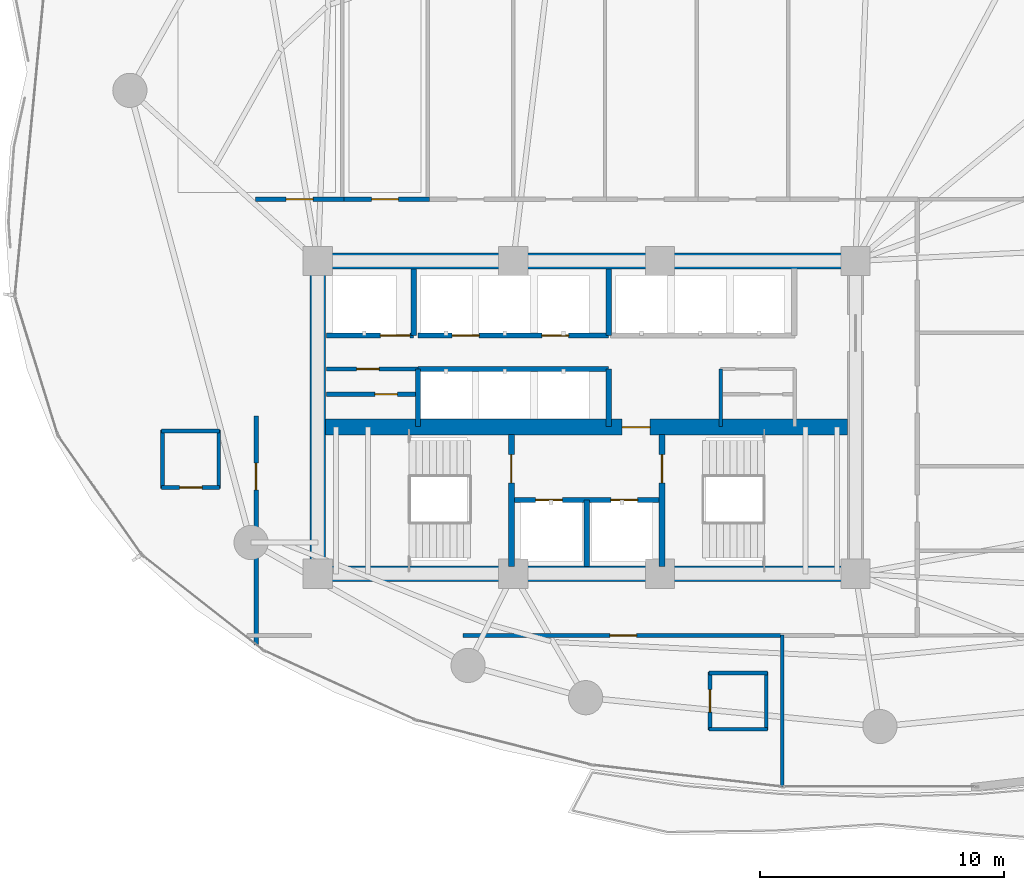
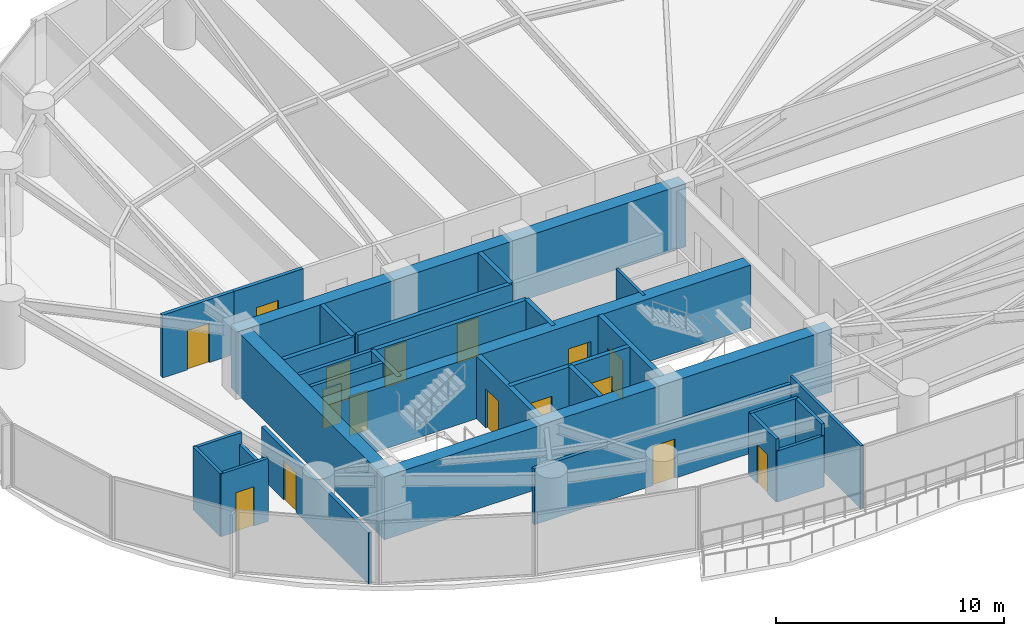
# One storey, part 25 of 31: 31 walls, 16 doors, 16 openings.
"""IFC4 building model written with IfcOpenShell, lengths in metres."""

from ifc_helpers import new_model, si_unit, direction, frame, frame_2d, origin, place, context, subcontext, project, spatial, rectangle, extrude, material, layer, layer_set, type_object, element, fill, save


model = new_model("IFC4")

# Units and contexts
model_context = context("Model", 3, precision=1e-05, world=origin(), true_north=direction((0.0, 1.0)))
body_context = subcontext(model_context, "Body", "Model", "MODEL_VIEW")
ifc_project = project(units=[si_unit("LENGTHUNIT", "METRE"), si_unit("AREAUNIT", "SQUARE_METRE"), si_unit("VOLUMEUNIT", "CUBIC_METRE"), si_unit("PLANEANGLEUNIT", "RADIAN"), si_unit("MASSUNIT", "GRAM", prefix="KILO")], contexts=[model_context])

# Site, building, storey
site_placement = place(None, origin())
site = spatial("IfcSite", under=ifc_project, at=site_placement, CompositionType="ELEMENT")
building_placement = place(site_placement, origin())
building = spatial("IfcBuilding", under=site, at=building_placement, Name="Kazevale Care Tower and Concert Hall", CompositionType="ELEMENT")
storey_placement = place(building_placement, frame((0.0, 0.0, 63.60009765625)))
storey = spatial("IfcBuildingStorey", under=building, at=storey_placement, Name="L16", CompositionType="ELEMENT", Elevation=63.60009765625)

# Walls
ifc_material_1 = material(Name="Acoustic Gypsum on Steel Stud", Category="steel")
ifc_layer_1 = layer(ifc_material_1, 0.139892578125)
ifc_layer_set_1 = layer_set([ifc_layer_1], Name="Acoustic Gypsum on Steel Stud")
wall_type_1 = type_object("IfcWallType", Name="Acoustic Care & Suite Partition 140", PredefinedType="PARTITIONING", material=ifc_layer_set_1)
wall_1_placement = place(storey_placement, frame((38.47998046875, 29.6201171875, 0.0), z_axis=(0.0, 0.0, 1.0), x_axis=(0.0, 1.0, 0.0)))
element("IfcWall", 1, at=wall_1_placement, inside=storey, type_object=wall_type_1, Name="wall:L16:kc_ew", PredefinedType="PARTITIONING", context=body_context, shape_type="SweptSolid", body=[
    extrude(rectangle(XDim=2.35986328125, YDim=0.139892578125, at=frame_2d((1.179931640625, 0.0))), origin(), (0.0, 0.0, 1.0), 3.35986328125),
])
wall_2_placement = place(storey_placement, frame((41.0, 21.10498046875, 0.0), z_axis=(0.0, 0.0, 1.0), x_axis=(0.0, -1.0, 0.0)))
element("IfcWall", 2, at=wall_2_placement, inside=storey, type_object=wall_type_1, Name="wall:L16:auto_027", PredefinedType="PARTITIONING", context=body_context, shape_type="SweptSolid", body=[
    extrude(rectangle(XDim=6.204833984375, YDim=0.139892578125, at=frame_2d((3.1025390625, 0.0))), origin(), (0.0, 0.0, 1.0), 3.35986328125),
])
ifc_material_2 = material(Name="Concrete C70", Category="concrete")
ifc_layer_2 = layer(ifc_material_2, 0.64990234375)
ifc_layer_set_2 = layer_set([ifc_layer_2], Name="Concrete C70")
wall_type_2 = type_object("IfcWallType", Name="Core Shear Wall 650 C70", PredefinedType="SHEAR", material=ifc_layer_set_2)
for number, where, z_axis, x_axis, name in (
    (3, (21.675048828125, 23.60009765625, 0.0), (0.0, 0.0, 1.0), (1.0, 0.0, 0.0), "wall:L16:core:S"),
    (4, (21.675048828125, 36.39990234375, 0.0), (0.0, 0.0, 1.0), (1.0, 0.0, 0.0), "wall:L16:core:N"),
):
    element("IfcWall", number, at=place(storey_placement, frame(where, z_axis=z_axis, x_axis=x_axis)), inside=storey, type_object=wall_type_2, Name=name, PredefinedType="SHEAR", context=body_context, shape_type="SweptSolid", body=[
        extrude(rectangle(XDim=22.64990234375, YDim=0.64990234375, at=frame_2d((11.324951171875, 0.0))), origin(), (0.0, 0.0, 1.0), 3.35986328125),
    ])
wall_3_placement = place(storey_placement, frame((22.0, 23.925048828125, 0.0), z_axis=(0.0, 0.0, 1.0), x_axis=(0.0, 1.0, 0.0)))
element("IfcWall", 5, at=wall_3_placement, inside=storey, type_object=wall_type_2, Name="wall:L16:core:W", PredefinedType="SHEAR", context=body_context, shape_type="SweptSolid", body=[
    extrude(rectangle(XDim=12.14990234375, YDim=0.64990234375, at=frame_2d((6.074951171875, 0.0))), origin(), (0.0, 0.0, 1.0), 3.35986328125),
])

# Wall, opening, door
wall_4_placement = place(storey_placement, frame((22.324951171875, 29.60009765625, 0.0), z_axis=(0.0, 0.0, 1.0), x_axis=(1.0, 0.0, 0.0)))
wall_4 = element("IfcWall", 6, at=wall_4_placement, inside=storey, type_object=wall_type_2, Name="wall:L16:core:M", PredefinedType="SHEAR", context=body_context, shape_type="SweptSolid", body=[
    extrude(rectangle(XDim=21.35009765625, YDim=0.64990234375, at=frame_2d((10.675048828125, 0.0))), origin(), (0.0, 0.0, 1.0), 3.35986328125),
])
opening_1_placement = place(wall_4_placement, frame((12.125, 0.0, 0.0)))
opening_1 = element("IfcOpeningElement", 7, at=opening_1_placement, cuts=wall_4, Name="Opening FD-90", PredefinedType="OPENING", context=body_context, shape_type="SweptSolid", body=[
    extrude(rectangle(XDim=1.14990234375, YDim=2.10009765625, at=frame_2d((0.574951171875, 1.050048828125))), frame((0.0, 0.3349609375, 0.0), z_axis=(0.0, -1.0, 0.0), x_axis=(1.0, 0.0, 0.0)), (0.0, 0.0, 1.0), 0.669921875),
])
ifc_material_3 = material(Name="Steel ASTM A572 Gr 50", Category="steel")
door_type_1 = type_object("IfcDoorType", Name="Pressurized Stair & Lobby Fire Door 1150x2100", OperationType="NOTDEFINED", PredefinedType="DOOR", material=ifc_material_3)
door_1_placement = place(opening_1_placement, origin())
door_1 = element("IfcDoor", 8, at=door_1_placement, inside=storey, type_object=door_type_1, Name="door:L16:ff_to_pax", OperationType="SINGLE_SWING_LEFT", OverallHeight=2.10009765625, OverallWidth=1.14990234375, PredefinedType="DOOR", context=body_context, shape_type="SweptSolid", body=[
    extrude(rectangle(XDim=1.14990234375, YDim=2.10009765625, at=frame_2d((0.574951171875, 1.050048828125))), frame((0.0, 0.02490234375, 0.0), z_axis=(0.0, -1.0, 0.0), x_axis=(1.0, 0.0, 0.0)), (0.0, 0.0, 1.0), 0.050048828125),
])
fill(opening_1, door_1)

# Wall, openings, doors
ifc_material_4 = material(Name="Concrete C40", Category="concrete")
ifc_layer_3 = layer(ifc_material_4, 0.219970703125)
ifc_layer_set_3 = layer_set([ifc_layer_3], Name="Concrete C40")
wall_type_3 = type_object("IfcWallType", Name="Elevator Hoistway Shaft Wall 220", PredefinedType="SOLIDWALL", material=ifc_layer_set_3)
wall_5_placement = place(storey_placement, frame((29.919921875, 26.6201171875, 0.0), z_axis=(0.0, 0.0, 1.0), x_axis=(1.0, 0.0, 0.0)))
wall_5 = element("IfcWall", 9, at=wall_5_placement, inside=storey, type_object=wall_type_3, Name="wall:L16:c_ffl_n", PredefinedType="SOLIDWALL", context=body_context, shape_type="SweptSolid", body=[
    extrude(rectangle(XDim=6.16015625, YDim=0.219970703125, at=frame_2d((3.080078125, 0.0))), origin(), (0.0, 0.0, 1.0), 3.35986328125),
])
opening_2_placement = place(wall_5_placement, frame((0.989990234375, 0.0, 0.0)))
opening_2 = element("IfcOpeningElement", 10, at=opening_2_placement, cuts=wall_5, Name="Opening LD-FF", PredefinedType="OPENING", context=body_context, shape_type="SweptSolid", body=[
    extrude(rectangle(XDim=1.10009765625, YDim=2.10009765625, at=frame_2d((0.550048828125, 1.050048828125))), frame((0.0, 0.119873046875, 0.0), z_axis=(0.0, -1.0, 0.0), x_axis=(1.0, 0.0, 0.0)), (0.0, 0.0, 1.0), 0.239990234375),
])
opening_3_placement = place(wall_5_placement, frame((4.070068359375, 0.0, 0.0)))
opening_3 = element("IfcOpeningElement", 11, at=opening_3_placement, cuts=wall_5, Name="Opening LD-FF", PredefinedType="OPENING", context=body_context, shape_type="SweptSolid", body=[
    extrude(rectangle(XDim=1.10009765625, YDim=2.10009765625, at=frame_2d((0.550048828125, 1.050048828125))), frame((0.0, 0.119873046875, 0.0), z_axis=(0.0, -1.0, 0.0), x_axis=(1.0, 0.0, 0.0)), (0.0, 0.0, 1.0), 0.239990234375),
])
ifc_material_5 = material(Name="Stainless Steel 316", Category="steel")
door_type_2 = type_object("IfcDoorType", Name="Emergency Lift Sliding Landing Door 1100x2100", OperationType="NOTDEFINED", PredefinedType="DOOR", material=ifc_material_5)
door_2_placement = place(opening_2_placement, origin())
door_2 = element("IfcDoor", 12, at=door_2_placement, inside=storey, type_object=door_type_2, Name="door:L16:ld_ffl1", OperationType="SLIDING_TO_LEFT", OverallHeight=2.10009765625, OverallWidth=1.10009765625, PredefinedType="DOOR", context=body_context, shape_type="SweptSolid", body=[
    extrude(rectangle(XDim=1.10009765625, YDim=2.10009765625, at=frame_2d((0.550048828125, 1.050048828125))), frame((0.0, 0.02490234375, 0.0), z_axis=(0.0, -1.0, 0.0), x_axis=(1.0, 0.0, 0.0)), (0.0, 0.0, 1.0), 0.050048828125),
])
fill(opening_2, door_2)
door_3_placement = place(opening_3_placement, origin())
door_3 = element("IfcDoor", 13, at=door_3_placement, inside=storey, type_object=door_type_2, Name="door:L16:ld_ffl2", OperationType="SLIDING_TO_RIGHT", OverallHeight=2.10009765625, OverallWidth=1.10009765625, PredefinedType="DOOR", context=body_context, shape_type="SweptSolid", body=[
    extrude(rectangle(XDim=1.10009765625, YDim=2.10009765625, at=frame_2d((0.550048828125, 1.050048828125))), frame((0.0, 0.02490234375, 0.0), z_axis=(0.0, -1.0, 0.0), x_axis=(1.0, 0.0, 0.0)), (0.0, 0.0, 1.0), 0.050048828125),
])
fill(opening_3, door_3)

# Walls
wall_6_placement = place(storey_placement, frame((33.0, 23.89990234375, 0.0), z_axis=(0.0, 0.0, 1.0), x_axis=(0.0, 1.0, 0.0)))
element("IfcWall", 14, at=wall_6_placement, inside=storey, type_object=wall_type_3, Name="wall:L16:c_ffl_m", PredefinedType="SOLIDWALL", context=body_context, shape_type="SweptSolid", body=[
    extrude(rectangle(XDim=2.72021484375, YDim=0.219970703125, at=frame_2d((1.360107421875, 0.0))), origin(), (0.0, 0.0, 1.0), 3.35986328125),
])
wall_7_placement = place(storey_placement, frame((25.919921875, 33.35009765625, 0.0), z_axis=(0.0, 0.0, 1.0), x_axis=(0.0, 1.0, 0.0)))
element("IfcWall", 15, at=wall_7_placement, inside=storey, type_object=wall_type_3, Name="wall:L16:c_svl_e", PredefinedType="SOLIDWALL", context=body_context, shape_type="SweptSolid", body=[
    extrude(rectangle(XDim=2.72998046875, YDim=0.219970703125, at=frame_2d((1.364990234375, 0.0))), origin(), (0.0, 0.0, 1.0), 3.35986328125),
])

# Wall, opening, door
wall_8_placement = place(storey_placement, frame((22.35009765625, 33.35009765625, 0.0), z_axis=(0.0, 0.0, 1.0), x_axis=(1.0, 0.0, 0.0)))
wall_8 = element("IfcWall", 16, at=wall_8_placement, inside=storey, type_object=wall_type_3, Name="wall:L16:c_svl_s", PredefinedType="SOLIDWALL", context=body_context, shape_type="SweptSolid", body=[
    extrude(rectangle(XDim=3.56982421875, YDim=0.219970703125, at=frame_2d((1.784912109375, 0.0))), origin(), (0.0, 0.0, 1.0), 3.35986328125),
])
opening_4_placement = place(wall_8_placement, frame((2.212890625, 0.0, 0.0)))
opening_4 = element("IfcOpeningElement", 17, at=opening_4_placement, cuts=wall_8, Name="Opening LD-SV", PredefinedType="OPENING", context=body_context, shape_type="SweptSolid", body=[
    extrude(rectangle(XDim=1.199951171875, YDim=2.10009765625, at=frame_2d((0.60009765625, 1.050048828125))), frame((0.0, 0.119873046875, 0.0), z_axis=(0.0, -1.0, 0.0), x_axis=(1.0, 0.0, 0.0)), (0.0, 0.0, 1.0), 0.239990234375),
])
door_type_3 = type_object("IfcDoorType", Name="Service Lift Sliding Landing Door 1200x2100", OperationType="NOTDEFINED", PredefinedType="DOOR", material=ifc_material_5)
door_4_placement = place(opening_4_placement, origin())
door_4 = element("IfcDoor", 18, at=door_4_placement, inside=storey, type_object=door_type_3, Name="door:L16:ld_svl1", OperationType="SLIDING_TO_LEFT", OverallHeight=2.10009765625, OverallWidth=1.199951171875, PredefinedType="DOOR", context=body_context, shape_type="SweptSolid", body=[
    extrude(rectangle(XDim=1.199951171875, YDim=2.10009765625, at=frame_2d((0.60009765625, 1.050048828125))), frame((0.0, 0.02490234375, 0.0), z_axis=(0.0, -1.0, 0.0), x_axis=(1.0, 0.0, 0.0)), (0.0, 0.0, 1.0), 0.050048828125),
])
fill(opening_4, door_4)

# Walls
wall_9_placement = place(storey_placement, frame((26.10009765625, 29.6201171875, 0.0), z_axis=(0.0, 0.0, 1.0), x_axis=(0.0, 1.0, 0.0)))
element("IfcWall", 19, at=wall_9_placement, inside=storey, type_object=wall_type_3, Name="wall:L16:c_ph_w", PredefinedType="SOLIDWALL", context=body_context, shape_type="SweptSolid", body=[
    extrude(rectangle(XDim=2.35986328125, YDim=0.219970703125, at=frame_2d((1.179931640625, 0.0))), origin(), (0.0, 0.0, 1.0), 3.35986328125),
])
wall_10_placement = place(storey_placement, frame((26.10009765625, 31.97998046875, 0.0), z_axis=(0.0, 0.0, 1.0), x_axis=(1.0, 0.0, 0.0)))
element("IfcWall", 20, at=wall_10_placement, inside=storey, type_object=wall_type_3, Name="wall:L16:c_ph_n", PredefinedType="SOLIDWALL", context=body_context, shape_type="SweptSolid", body=[
    extrude(rectangle(XDim=7.7998046875, YDim=0.219970703125, at=frame_2d((3.89990234375, 0.0))), origin(), (0.0, 0.0, 1.0), 3.35986328125),
])
wall_11_placement = place(storey_placement, frame((33.89990234375, 29.6201171875, 0.0), z_axis=(0.0, 0.0, 1.0), x_axis=(0.0, 1.0, 0.0)))
element("IfcWall", 21, at=wall_11_placement, inside=storey, type_object=wall_type_3, Name="wall:L16:c_ph_e", PredefinedType="SOLIDWALL", context=body_context, shape_type="SweptSolid", body=[
    extrude(rectangle(XDim=2.35986328125, YDim=0.219970703125, at=frame_2d((1.179931640625, 0.0))), origin(), (0.0, 0.0, 1.0), 3.35986328125),
])

# Wall, openings, doors
wall_12_placement = place(storey_placement, frame((26.10009765625, 33.35009765625, 0.0), z_axis=(0.0, 0.0, 1.0), x_axis=(1.0, 0.0, 0.0)))
wall_12 = element("IfcWall", 22, at=wall_12_placement, inside=storey, type_object=wall_type_3, Name="wall:L16:c_pl_s", PredefinedType="SOLIDWALL", context=body_context, shape_type="SweptSolid", body=[
    extrude(rectangle(XDim=7.7998046875, YDim=0.219970703125, at=frame_2d((3.89990234375, 0.0))), origin(), (0.0, 0.0, 1.0), 3.35986328125),
])
opening_5_placement = place(wall_12_placement, frame((1.39990234375, 0.0, 0.0)))
opening_5 = element("IfcOpeningElement", 23, at=opening_5_placement, cuts=wall_12, Name="Opening LD-PAX", PredefinedType="OPENING", context=body_context, shape_type="SweptSolid", body=[
    extrude(rectangle(XDim=1.10009765625, YDim=2.10009765625, at=frame_2d((0.550048828125, 1.050048828125))), frame((0.0, 0.119873046875, 0.0), z_axis=(0.0, -1.0, 0.0), x_axis=(1.0, 0.0, 0.0)), (0.0, 0.0, 1.0), 0.239990234375),
])
opening_6_placement = place(wall_12_placement, frame((5.06591796875, 0.0, 0.0)))
opening_6 = element("IfcOpeningElement", 24, at=opening_6_placement, cuts=wall_12, Name="Opening LD-PAX", PredefinedType="OPENING", context=body_context, shape_type="SweptSolid", body=[
    extrude(rectangle(XDim=1.10009765625, YDim=2.10009765625, at=frame_2d((0.550048828125, 1.050048828125))), frame((0.0, 0.119873046875, 0.0), z_axis=(0.0, -1.0, 0.0), x_axis=(1.0, 0.0, 0.0)), (0.0, 0.0, 1.0), 0.239990234375),
])
door_type_4 = type_object("IfcDoorType", Name="Passenger Lift Sliding Landing Door 1100x2100", OperationType="NOTDEFINED", PredefinedType="DOOR", material=ifc_material_5)
door_5_placement = place(opening_5_placement, origin())
door_5 = element("IfcDoor", 25, at=door_5_placement, inside=storey, type_object=door_type_4, Name="door:L16:ld_pl1", OperationType="SLIDING_TO_LEFT", OverallHeight=2.10009765625, OverallWidth=1.10009765625, PredefinedType="DOOR", context=body_context, shape_type="SweptSolid", body=[
    extrude(rectangle(XDim=1.10009765625, YDim=2.10009765625, at=frame_2d((0.550048828125, 1.050048828125))), frame((0.0, 0.02490234375, 0.0), z_axis=(0.0, -1.0, 0.0), x_axis=(1.0, 0.0, 0.0)), (0.0, 0.0, 1.0), 0.050048828125),
])
fill(opening_5, door_5)
door_6_placement = place(opening_6_placement, origin())
door_6 = element("IfcDoor", 26, at=door_6_placement, inside=storey, type_object=door_type_4, Name="door:L16:ld_pl2", OperationType="SLIDING_TO_RIGHT", OverallHeight=2.10009765625, OverallWidth=1.10009765625, PredefinedType="DOOR", context=body_context, shape_type="SweptSolid", body=[
    extrude(rectangle(XDim=1.10009765625, YDim=2.10009765625, at=frame_2d((0.550048828125, 1.050048828125))), frame((0.0, 0.02490234375, 0.0), z_axis=(0.0, -1.0, 0.0), x_axis=(1.0, 0.0, 0.0)), (0.0, 0.0, 1.0), 0.050048828125),
])
fill(opening_6, door_6)

# Wall
wall_13_placement = place(storey_placement, frame((33.89990234375, 33.35009765625, 0.0), z_axis=(0.0, 0.0, 1.0), x_axis=(0.0, 1.0, 0.0)))
element("IfcWall", 27, at=wall_13_placement, inside=storey, type_object=wall_type_3, Name="wall:L16:c_pl_e", PredefinedType="SOLIDWALL", context=body_context, shape_type="SweptSolid", body=[
    extrude(rectangle(XDim=2.72998046875, YDim=0.219970703125, at=frame_2d((1.364990234375, 0.0))), origin(), (0.0, 0.0, 1.0), 3.35986328125),
])

# Wall, opening, door
ifc_material_6 = material(Name="Concrete C40 and Acoustic Gypsum", Category="concrete")
ifc_layer_4 = layer(ifc_material_6, 0.179931640625)
ifc_layer_set_4 = layer_set([ifc_layer_4], Name="Concrete C40 and Acoustic Gypsum")
wall_type_4 = type_object("IfcWallType", Name="Fire-Rated Corridor & Party Wall 180", PredefinedType="PARTITIONING", material=ifc_layer_set_4)
wall_14_placement = place(storey_placement, frame((22.35009765625, 30.949951171875, 0.0), z_axis=(0.0, 0.0, 1.0), x_axis=(1.0, 0.0, 0.0)))
wall_14 = element("IfcWall", 28, at=wall_14_placement, inside=storey, type_object=wall_type_4, Name="wall:L16:kc_wm", PredefinedType="PARTITIONING", context=body_context, shape_type="SweptSolid", body=[
    extrude(rectangle(XDim=3.75, YDim=0.179931640625, at=frame_2d((1.875, 0.0))), origin(), (0.0, 0.0, 1.0), 3.35986328125),
])
opening_7_placement = place(wall_14_placement, frame((1.988037109375, 0.0, 0.0)))
opening_7 = element("IfcOpeningElement", 29, at=opening_7_placement, cuts=wall_14, Name="Opening ID-900", PredefinedType="OPENING", context=body_context, shape_type="SweptSolid", body=[
    extrude(rectangle(XDim=0.919921875, YDim=2.10009765625, at=frame_2d((0.4599609375, 1.050048828125))), frame((0.0, 0.099853515625, 0.0), z_axis=(0.0, -1.0, 0.0), x_axis=(1.0, 0.0, 0.0)), (0.0, 0.0, 1.0), 0.199951171875),
])
ifc_material_7 = material(Name="Oak Timber Fire Leaf", Category="wood")
door_type_5 = type_object("IfcDoorType", Name="Bathroom & Service Door 920x2100", OperationType="NOTDEFINED", PredefinedType="DOOR", material=ifc_material_7)
door_7_placement = place(opening_7_placement, origin())
door_7 = element("IfcDoor", 30, at=door_7_placement, inside=storey, type_object=door_type_5, Name="door:L16:d_kcwb", OperationType="SINGLE_SWING_RIGHT", OverallHeight=2.10009765625, OverallWidth=0.919921875, PredefinedType="DOOR", context=body_context, shape_type="SweptSolid", body=[
    extrude(rectangle(XDim=0.919921875, YDim=2.10009765625, at=frame_2d((0.4599609375, 1.050048828125))), frame((0.0, 0.02490234375, 0.0), z_axis=(0.0, -1.0, 0.0), x_axis=(1.0, 0.0, 0.0)), (0.0, 0.0, 1.0), 0.050048828125),
])
fill(opening_7, door_7)

wall_15_placement = place(storey_placement, frame((22.35009765625, 31.97998046875, 0.0), z_axis=(0.0, 0.0, 1.0), x_axis=(1.0, 0.0, 0.0)))
wall_15 = element("IfcWall", 31, at=wall_15_placement, inside=storey, type_object=wall_type_4, Name="wall:L16:kc_wn", PredefinedType="PARTITIONING", context=body_context, shape_type="SweptSolid", body=[
    extrude(rectangle(XDim=3.75, YDim=0.179931640625, at=frame_2d((1.875, 0.0))), origin(), (0.0, 0.0, 1.0), 3.35986328125),
])
opening_8_placement = place(wall_15_placement, frame((1.238037109375, 0.0, 0.0)))
opening_8 = element("IfcOpeningElement", 32, at=opening_8_placement, cuts=wall_15, Name="Opening ID-900", PredefinedType="OPENING", context=body_context, shape_type="SweptSolid", body=[
    extrude(rectangle(XDim=0.919921875, YDim=2.10009765625, at=frame_2d((0.4599609375, 1.050048828125))), frame((0.0, 0.099853515625, 0.0), z_axis=(0.0, -1.0, 0.0), x_axis=(1.0, 0.0, 0.0)), (0.0, 0.0, 1.0), 0.199951171875),
])
door_8_placement = place(opening_8_placement, origin())
door_8 = element("IfcDoor", 33, at=door_8_placement, inside=storey, type_object=door_type_5, Name="door:L16:d_kcwt", OperationType="SINGLE_SWING_LEFT", OverallHeight=2.10009765625, OverallWidth=0.919921875, PredefinedType="DOOR", context=body_context, shape_type="SweptSolid", body=[
    extrude(rectangle(XDim=0.919921875, YDim=2.10009765625, at=frame_2d((0.4599609375, 1.050048828125))), frame((0.0, 0.02490234375, 0.0), z_axis=(0.0, -1.0, 0.0), x_axis=(1.0, 0.0, 0.0)), (0.0, 0.0, 1.0), 0.050048828125),
])
fill(opening_8, door_8)

wall_16_placement = place(storey_placement, frame((19.445068359375, 38.925048828125, 0.0), z_axis=(0.0, 0.0, 1.0), x_axis=(1.0, 0.0, 0.0)))
wall_16 = element("IfcWall", 34, at=wall_16_placement, inside=storey, type_object=wall_type_4, Name="wall:L16:auto_001", PredefinedType="PARTITIONING", context=body_context, shape_type="SweptSolid", body=[
    extrude(rectangle(XDim=3.619873046875, YDim=0.179931640625, at=frame_2d((1.81005859375, 0.0))), origin(), (0.0, 0.0, 1.0), 3.35986328125),
])
opening_9_placement = place(wall_16_placement, frame((1.260009765625, 0.0, 0.0)))
opening_9 = element("IfcOpeningElement", 35, at=opening_9_placement, cuts=wall_16, Name="Opening ID-1100", PredefinedType="OPENING", context=body_context, shape_type="SweptSolid", body=[
    extrude(rectangle(XDim=1.10009765625, YDim=2.10009765625, at=frame_2d((0.550048828125, 1.050048828125))), frame((0.0, 0.099853515625, 0.0), z_axis=(0.0, -1.0, 0.0), x_axis=(1.0, 0.0, 0.0)), (0.0, 0.0, 1.0), 0.199951171875),
])
door_type_6 = type_object("IfcDoorType", Name="Care Bedroom Accessible Door 1100x2100", OperationType="NOTDEFINED", PredefinedType="DOOR", material=ifc_material_7)
door_9_placement = place(opening_9_placement, origin())
door_9 = element("IfcDoor", 36, at=door_9_placement, inside=storey, type_object=door_type_6, Name="door:L16:ad_001", OperationType="SINGLE_SWING_LEFT", OverallHeight=2.10009765625, OverallWidth=1.10009765625, PredefinedType="DOOR", context=body_context, shape_type="SweptSolid", body=[
    extrude(rectangle(XDim=1.10009765625, YDim=2.10009765625, at=frame_2d((0.550048828125, 1.050048828125))), frame((0.0, 0.02490234375, 0.0), z_axis=(0.0, -1.0, 0.0), x_axis=(1.0, 0.0, 0.0)), (0.0, 0.0, 1.0), 0.050048828125),
])
fill(opening_9, door_9)

wall_17_placement = place(storey_placement, frame((22.93505859375, 38.925048828125, 0.0), z_axis=(0.0, 0.0, 1.0), x_axis=(1.0, 0.0, 0.0)))
wall_17 = element("IfcWall", 37, at=wall_17_placement, inside=storey, type_object=wall_type_4, Name="wall:L16:auto_002", PredefinedType="PARTITIONING", context=body_context, shape_type="SweptSolid", body=[
    extrude(rectangle(XDim=3.6298828125, YDim=0.179931640625, at=frame_2d((1.81494140625, 0.0))), origin(), (0.0, 0.0, 1.0), 3.35986328125),
])
opening_10_placement = place(wall_17_placement, frame((1.264892578125, 0.0, 0.0)))
opening_10 = element("IfcOpeningElement", 38, at=opening_10_placement, cuts=wall_17, Name="Opening ID-1100", PredefinedType="OPENING", context=body_context, shape_type="SweptSolid", body=[
    extrude(rectangle(XDim=1.10009765625, YDim=2.10009765625, at=frame_2d((0.550048828125, 1.050048828125))), frame((0.0, 0.099853515625, 0.0), z_axis=(0.0, -1.0, 0.0), x_axis=(1.0, 0.0, 0.0)), (0.0, 0.0, 1.0), 0.199951171875),
])
door_10_placement = place(opening_10_placement, origin())
door_10 = element("IfcDoor", 39, at=door_10_placement, inside=storey, type_object=door_type_6, Name="door:L16:ad_002", OperationType="SINGLE_SWING_LEFT", OverallHeight=2.10009765625, OverallWidth=1.10009765625, PredefinedType="DOOR", context=body_context, shape_type="SweptSolid", body=[
    extrude(rectangle(XDim=1.10009765625, YDim=2.10009765625, at=frame_2d((0.550048828125, 1.050048828125))), frame((0.0, 0.02490234375, 0.0), z_axis=(0.0, -1.0, 0.0), x_axis=(1.0, 0.0, 0.0)), (0.0, 0.0, 1.0), 0.050048828125),
])
fill(opening_10, door_10)

wall_18_placement = place(storey_placement, frame((41.06494140625, 21.074951171875, 0.0), z_axis=(0.0, 0.0, 1.0), x_axis=(-1.0, 0.0, 0.0)))
wall_18 = element("IfcWall", 40, at=wall_18_placement, inside=storey, type_object=wall_type_4, Name="wall:L16:auto_012", PredefinedType="PARTITIONING", context=body_context, shape_type="SweptSolid", body=[
    extrude(rectangle(XDim=13.1298828125, YDim=0.179931640625, at=frame_2d((6.56494140625, 0.0))), origin(), (0.0, 0.0, 1.0), 2.995849609375),
])
opening_11_placement = place(wall_18_placement, frame((6.014892578125, 0.0, 0.0)))
opening_11 = element("IfcOpeningElement", 41, at=opening_11_placement, cuts=wall_18, Name="Opening ID-1100", PredefinedType="OPENING", context=body_context, shape_type="SweptSolid", body=[
    extrude(rectangle(XDim=1.10009765625, YDim=2.10009765625, at=frame_2d((0.550048828125, 1.050048828125))), frame((0.0, 0.099853515625, 0.0), z_axis=(0.0, -1.0, 0.0), x_axis=(1.0, 0.0, 0.0)), (0.0, 0.0, 1.0), 0.199951171875),
])
door_11_placement = place(opening_11_placement, origin())
door_11 = element("IfcDoor", 42, at=door_11_placement, inside=storey, type_object=door_type_6, Name="door:L16:ad_012", OperationType="SINGLE_SWING_LEFT", OverallHeight=2.10009765625, OverallWidth=1.10009765625, PredefinedType="DOOR", context=body_context, shape_type="SweptSolid", body=[
    extrude(rectangle(XDim=1.10009765625, YDim=2.10009765625, at=frame_2d((0.550048828125, 1.050048828125))), frame((0.0, 0.02490234375, 0.0), z_axis=(0.0, -1.0, 0.0), x_axis=(1.0, 0.0, 0.0)), (0.0, 0.0, 1.0), 0.050048828125),
])
fill(opening_11, door_11)

wall_19_placement = place(storey_placement, frame((19.47509765625, 20.695068359375, 0.0), z_axis=(0.0, 0.0, 1.0), x_axis=(0.0, 1.0, 0.0)))
wall_19 = element("IfcWall", 43, at=wall_19_placement, inside=storey, type_object=wall_type_4, Name="wall:L16:auto_014", PredefinedType="PARTITIONING", context=body_context, shape_type="SweptSolid", body=[
    extrude(rectangle(XDim=9.369873046875, YDim=0.179931640625, at=frame_2d((4.68505859375, 0.0))), origin(), (0.0, 0.0, 1.0), 2.73779296875),
])
opening_12_placement = place(wall_19_placement, frame((6.3349609375, 0.0, 0.0)))
opening_12 = element("IfcOpeningElement", 44, at=opening_12_placement, cuts=wall_19, Name="Opening ID-1100", PredefinedType="OPENING", context=body_context, shape_type="SweptSolid", body=[
    extrude(rectangle(XDim=1.10009765625, YDim=2.10009765625, at=frame_2d((0.550048828125, 1.050048828125))), frame((0.0, 0.099853515625, 0.0), z_axis=(0.0, -1.0, 0.0), x_axis=(1.0, 0.0, 0.0)), (0.0, 0.0, 1.0), 0.199951171875),
])
door_12_placement = place(opening_12_placement, origin())
door_12 = element("IfcDoor", 45, at=door_12_placement, inside=storey, type_object=door_type_6, Name="door:L16:ad_014", OperationType="SINGLE_SWING_LEFT", OverallHeight=2.10009765625, OverallWidth=1.10009765625, PredefinedType="DOOR", context=body_context, shape_type="SweptSolid", body=[
    extrude(rectangle(XDim=1.10009765625, YDim=2.10009765625, at=frame_2d((0.550048828125, 1.050048828125))), frame((0.0, 0.02490234375, 0.0), z_axis=(0.0, -1.0, 0.0), x_axis=(1.0, 0.0, 0.0)), (0.0, 0.0, 1.0), 0.050048828125),
])
fill(opening_12, door_12)

# Walls
ifc_layer_5 = layer(ifc_material_1, 0.159912109375)
ifc_layer_set_5 = layer_set([ifc_layer_5], Name="Acoustic Gypsum on Steel Stud")
wall_type_5 = type_object("IfcWallType", Name="Moisture-Resistant Bathroom Plumbing Wall 160", PredefinedType="PLUMBINGWALL", material=ifc_layer_set_5)
wall_20_placement = place(storey_placement, frame((38.010009765625, 17.239013671875, 0.0), z_axis=(0.0, 0.0, 1.0), x_axis=(1.0, 0.0, 0.0)))
element("IfcWall", 46, at=wall_20_placement, inside=storey, type_object=wall_type_5, Name="wall:L16:sb2_ens_ws", PredefinedType="PLUMBINGWALL", context=body_context, shape_type="SweptSolid", body=[
    extrude(rectangle(XDim=2.3798828125, YDim=0.159912109375, at=frame_2d((1.18994140625, 0.0))), origin(), (0.0, 0.0, 1.0), 2.73779296875),
])
wall_21_placement = place(storey_placement, frame((38.010009765625, 19.5390625, 0.0), z_axis=(0.0, 0.0, 1.0), x_axis=(1.0, 0.0, 0.0)))
element("IfcWall", 47, at=wall_21_placement, inside=storey, type_object=wall_type_5, Name="wall:L16:sb2_ens_wn", PredefinedType="PLUMBINGWALL", context=body_context, shape_type="SweptSolid", body=[
    extrude(rectangle(XDim=2.3798828125, YDim=0.159912109375, at=frame_2d((1.18994140625, 0.0))), origin(), (0.0, 0.0, 1.0), 3.35986328125),
])

# Wall, opening, door
wall_22_placement = place(storey_placement, frame((38.050048828125, 17.198974609375, 0.0), z_axis=(0.0, 0.0, 1.0), x_axis=(0.0, 1.0, 0.0)))
wall_22 = element("IfcWall", 48, at=wall_22_placement, inside=storey, type_object=wall_type_5, Name="wall:L16:sb2_ens_ww", PredefinedType="PLUMBINGWALL", context=body_context, shape_type="SweptSolid", body=[
    extrude(rectangle(XDim=2.380126953125, YDim=0.159912109375, at=frame_2d((1.18994140625, 0.0))), origin(), (0.0, 0.0, 1.0), 3.35986328125),
])
opening_13_placement = place(wall_22_placement, frame((0.739990234375, 0.0, 0.0)))
opening_13 = element("IfcOpeningElement", 49, at=opening_13_placement, cuts=wall_22, Name="Opening ID-900", PredefinedType="OPENING", context=body_context, shape_type="SweptSolid", body=[
    extrude(rectangle(XDim=0.919921875, YDim=2.10009765625, at=frame_2d((0.4599609375, 1.050048828125))), frame((0.0, 0.08984375, 0.0), z_axis=(0.0, -1.0, 0.0), x_axis=(1.0, 0.0, 0.0)), (0.0, 0.0, 1.0), 0.179931640625),
])
door_13_placement = place(opening_13_placement, origin())
door_13 = element("IfcDoor", 50, at=door_13_placement, inside=storey, type_object=door_type_5, Name="door:L16:sb2_ens_d", OperationType="SINGLE_SWING_RIGHT", OverallHeight=2.10009765625, OverallWidth=0.919921875, PredefinedType="DOOR", context=body_context, shape_type="SweptSolid", body=[
    extrude(rectangle(XDim=0.919921875, YDim=2.10009765625, at=frame_2d((0.4599609375, 1.050048828125))), frame((0.0, 0.02490234375, 0.0), z_axis=(0.0, -1.0, 0.0), x_axis=(1.0, 0.0, 0.0)), (0.0, 0.0, 1.0), 0.050048828125),
])
fill(opening_13, door_13)

# Wall
wall_23_placement = place(storey_placement, frame((40.35009765625, 17.198974609375, 0.0), z_axis=(0.0, 0.0, 1.0), x_axis=(0.0, 1.0, 0.0)))
element("IfcWall", 51, at=wall_23_placement, inside=storey, type_object=wall_type_5, Name="wall:L16:sb2_ens_we", PredefinedType="PLUMBINGWALL", context=body_context, shape_type="SweptSolid", body=[
    extrude(rectangle(XDim=2.380126953125, YDim=0.159912109375, at=frame_2d((1.18994140625, 0.0))), origin(), (0.0, 0.0, 1.0), 3.35986328125),
])

# Wall, opening, door
wall_24_placement = place(storey_placement, frame((15.60693359375, 27.134033203125, 0.0), z_axis=(0.0, 0.0, 1.0), x_axis=(1.0, 0.0, 0.0)))
wall_24 = element("IfcWall", 52, at=wall_24_placement, inside=storey, type_object=wall_type_5, Name="wall:L16:wb1_ens_ws", PredefinedType="PLUMBINGWALL", context=body_context, shape_type="SweptSolid", body=[
    extrude(rectangle(XDim=2.380126953125, YDim=0.159912109375, at=frame_2d((1.18994140625, 0.0))), origin(), (0.0, 0.0, 1.0), 3.35986328125),
])
opening_14_placement = place(wall_24_placement, frame((0.739990234375, 0.0, 0.0)))
opening_14 = element("IfcOpeningElement", 53, at=opening_14_placement, cuts=wall_24, Name="Opening ID-900", PredefinedType="OPENING", context=body_context, shape_type="SweptSolid", body=[
    extrude(rectangle(XDim=0.919921875, YDim=2.10009765625, at=frame_2d((0.4599609375, 1.050048828125))), frame((0.0, 0.08984375, 0.0), z_axis=(0.0, -1.0, 0.0), x_axis=(1.0, 0.0, 0.0)), (0.0, 0.0, 1.0), 0.179931640625),
])
door_14_placement = place(opening_14_placement, origin())
door_14 = element("IfcDoor", 54, at=door_14_placement, inside=storey, type_object=door_type_5, Name="door:L16:wb1_ens_d", OperationType="SINGLE_SWING_RIGHT", OverallHeight=2.10009765625, OverallWidth=0.919921875, PredefinedType="DOOR", context=body_context, shape_type="SweptSolid", body=[
    extrude(rectangle(XDim=0.919921875, YDim=2.10009765625, at=frame_2d((0.4599609375, 1.050048828125))), frame((0.0, 0.02490234375, 0.0), z_axis=(0.0, -1.0, 0.0), x_axis=(1.0, 0.0, 0.0)), (0.0, 0.0, 1.0), 0.050048828125),
])
fill(opening_14, door_14)

# Walls
for number, where, z_axis, x_axis, name in (
    (55, (15.60693359375, 29.43408203125, 0.0), (0.0, 0.0, 1.0), (1.0, 0.0, 0.0), "wall:L16:wb1_ens_wn"),
    (56, (15.64697265625, 27.093994140625, 0.0), (0.0, 0.0, 1.0), (0.0, 1.0, 0.0), "wall:L16:wb1_ens_ww"),
):
    element("IfcWall", number, at=place(storey_placement, frame(where, z_axis=z_axis, x_axis=x_axis)), inside=storey, type_object=wall_type_5, Name=name, PredefinedType="PLUMBINGWALL", context=body_context, shape_type="SweptSolid", body=[
        extrude(rectangle(XDim=2.380126953125, YDim=0.159912109375, at=frame_2d((1.18994140625, 0.0))), origin(), (0.0, 0.0, 1.0), 3.35986328125),
    ])
wall_25_placement = place(storey_placement, frame((17.947021484375, 27.093994140625, 0.0), z_axis=(0.0, 0.0, 1.0), x_axis=(0.0, 1.0, 0.0)))
element("IfcWall", 57, at=wall_25_placement, inside=storey, type_object=wall_type_5, Name="wall:L16:wb1_ens_we", PredefinedType="PLUMBINGWALL", context=body_context, shape_type="SweptSolid", body=[
    extrude(rectangle(XDim=2.380126953125, YDim=0.159912109375, at=frame_2d((1.18994140625, 0.0))), origin(), (0.0, 0.0, 1.0), 2.73779296875),
])

# Wall, opening, door
ifc_layer_6 = layer(ifc_material_4, 0.25)
ifc_layer_set_6 = layer_set([ifc_layer_6], Name="Concrete C40")
wall_type_6 = type_object("IfcWallType", Name="Pressurized Stair Shaft Wall 250", PredefinedType="SOLIDWALL", material=ifc_layer_set_6)
wall_26_placement = place(storey_placement, frame((29.919921875, 23.89990234375, 0.0), z_axis=(0.0, 0.0, 1.0), x_axis=(0.0, 1.0, 0.0)))
wall_26 = element("IfcWall", 58, at=wall_26_placement, inside=storey, type_object=wall_type_6, Name="wall:L16:c_st1_e", PredefinedType="SOLIDWALL", context=body_context, shape_type="SweptSolid", body=[
    extrude(rectangle(XDim=5.400146484375, YDim=0.25, at=frame_2d((2.7001953125, 0.0))), origin(), (0.0, 0.0, 1.0), 3.35986328125),
])
opening_15_placement = place(wall_26_placement, frame((3.4208984375, 0.0, 0.0)))
opening_15 = element("IfcOpeningElement", 59, at=opening_15_placement, cuts=wall_26, Name="Opening FD-90", PredefinedType="OPENING", context=body_context, shape_type="SweptSolid", body=[
    extrude(rectangle(XDim=1.14990234375, YDim=2.10009765625, at=frame_2d((0.574951171875, 1.050048828125))), frame((0.0, 0.135009765625, 0.0), z_axis=(0.0, -1.0, 0.0), x_axis=(1.0, 0.0, 0.0)), (0.0, 0.0, 1.0), 0.27001953125),
])
door_15_placement = place(opening_15_placement, origin())
door_15 = element("IfcDoor", 60, at=door_15_placement, inside=storey, type_object=door_type_1, Name="door:L16:st1", OperationType="SINGLE_SWING_RIGHT", OverallHeight=2.10009765625, OverallWidth=1.14990234375, PredefinedType="DOOR", context=body_context, shape_type="SweptSolid", body=[
    extrude(rectangle(XDim=1.14990234375, YDim=2.10009765625, at=frame_2d((0.574951171875, 1.050048828125))), frame((0.0, 0.02490234375, 0.0), z_axis=(0.0, -1.0, 0.0), x_axis=(1.0, 0.0, 0.0)), (0.0, 0.0, 1.0), 0.050048828125),
])
fill(opening_15, door_15)

wall_27_placement = place(storey_placement, frame((36.080078125, 23.89990234375, 0.0), z_axis=(0.0, 0.0, 1.0), x_axis=(0.0, 1.0, 0.0)))
wall_27 = element("IfcWall", 61, at=wall_27_placement, inside=storey, type_object=wall_type_6, Name="wall:L16:c_st2_w", PredefinedType="SOLIDWALL", context=body_context, shape_type="SweptSolid", body=[
    extrude(rectangle(XDim=5.400146484375, YDim=0.25, at=frame_2d((2.7001953125, 0.0))), origin(), (0.0, 0.0, 1.0), 3.35986328125),
])
opening_16_placement = place(wall_27_placement, frame((3.4208984375, 0.0, 0.0)))
opening_16 = element("IfcOpeningElement", 62, at=opening_16_placement, cuts=wall_27, Name="Opening FD-90", PredefinedType="OPENING", context=body_context, shape_type="SweptSolid", body=[
    extrude(rectangle(XDim=1.14990234375, YDim=2.10009765625, at=frame_2d((0.574951171875, 1.050048828125))), frame((0.0, 0.135009765625, 0.0), z_axis=(0.0, -1.0, 0.0), x_axis=(1.0, 0.0, 0.0)), (0.0, 0.0, 1.0), 0.27001953125),
])
door_16_placement = place(opening_16_placement, origin())
door_16 = element("IfcDoor", 63, at=door_16_placement, inside=storey, type_object=door_type_1, Name="door:L16:st2", OperationType="SINGLE_SWING_LEFT", OverallHeight=2.10009765625, OverallWidth=1.14990234375, PredefinedType="DOOR", context=body_context, shape_type="SweptSolid", body=[
    extrude(rectangle(XDim=1.14990234375, YDim=2.10009765625, at=frame_2d((0.574951171875, 1.050048828125))), frame((0.0, 0.02490234375, 0.0), z_axis=(0.0, -1.0, 0.0), x_axis=(1.0, 0.0, 0.0)), (0.0, 0.0, 1.0), 0.050048828125),
])
fill(opening_16, door_16)

save(model, "model.ifc")
